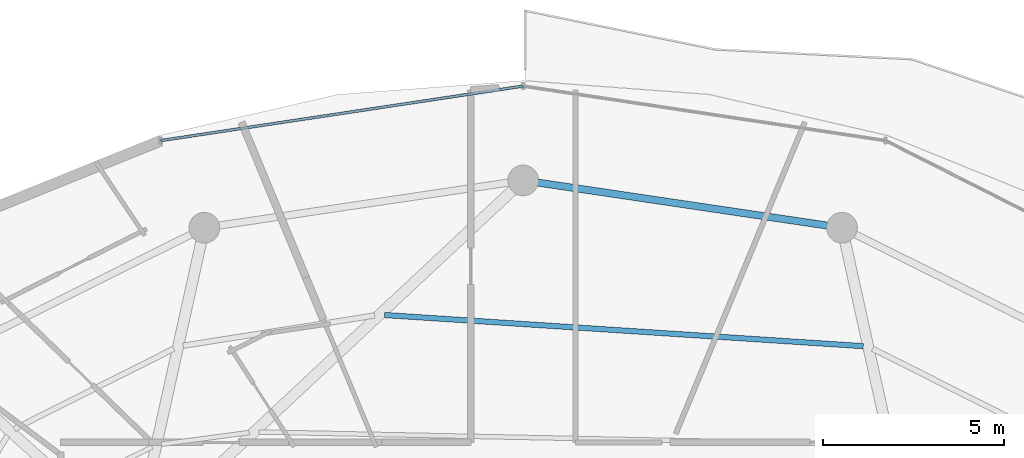
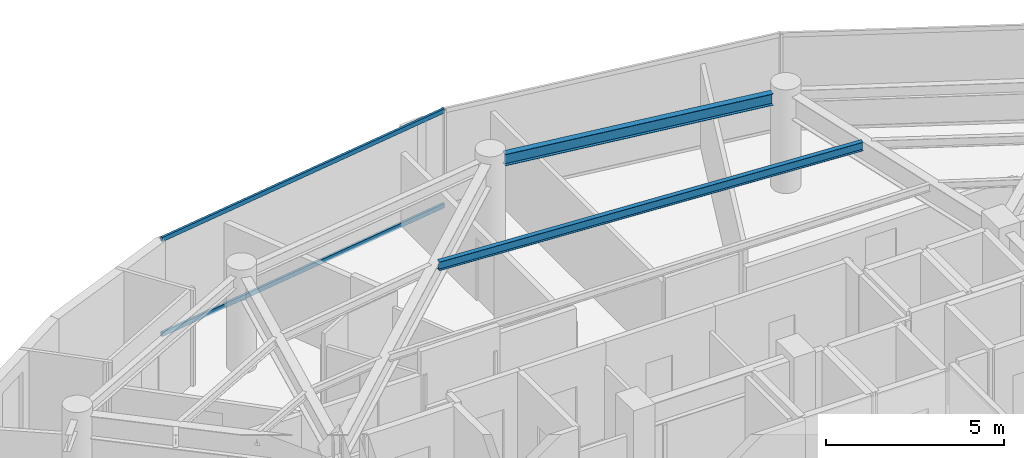
# One storey, part 18 of 30: 2 beams, 2 members, 1 element without a shape of its own.
"""IFC4 building model written with IfcOpenShell, lengths in metres."""

from ifc_helpers import new_model, si_unit, direction, frame, origin, origin_2d, place, context, subcontext, project, spatial, hollow_rectangle, i_section, extrude, material, material_profile, profile_set, type_object, element, aggregate, save


model = new_model("IFC4")

# Units and contexts
model_context = context("Model", 3, precision=1e-05, world=origin(), true_north=direction((0.0, 1.0)))
body_context = subcontext(model_context, "Body", "Model", "MODEL_VIEW")
ifc_project = project(units=[si_unit("LENGTHUNIT", "METRE"), si_unit("AREAUNIT", "SQUARE_METRE"), si_unit("VOLUMEUNIT", "CUBIC_METRE"), si_unit("PLANEANGLEUNIT", "RADIAN"), si_unit("MASSUNIT", "GRAM", prefix="KILO")], contexts=[model_context])

# Site, building, storey
site_placement = place(None, origin())
site = spatial("IfcSite", under=ifc_project, at=site_placement, CompositionType="ELEMENT")
building_placement = place(site_placement, origin())
building = spatial("IfcBuilding", under=site, at=building_placement, Name="Vorneva Point Tower", CompositionType="ELEMENT")
storey_placement = place(building_placement, frame((0.0, 0.0, 252.0)))
storey = spatial("IfcBuildingStorey", under=building, at=storey_placement, Name="L68", CompositionType="ELEMENT", Elevation=252.0)

# Beams
ifc_material_1 = material(Name="Steel S355", Category="steel")
ifc_material_profile_1 = material_profile(ifc_material_1, i_section(OverallWidth=0.14892578125, OverallDepth=0.298095703125, WebThickness=0.005615234375, FlangeThickness=0.008056640625, at=origin_2d()), Name="30B1")
ifc_profile_set_1 = profile_set([ifc_material_profile_1], Name="Steel S355")
beam_type_1 = type_object("IfcBeamType", Name="BM-JST-30B1", PredefinedType="JOIST", material=ifc_profile_set_1)
beam_1_placement = place(storey_placement, frame((47.408203125, 38.614501953125, 3.14111328125), z_axis=(-0.997889548282, 0.064934193066, 0.0), x_axis=(-0.064934193066, -0.997889548282, 0.0)))
element("IfcBeam", 1, at=beam_1_placement, inside=storey, type_object=beam_type_1, Name="L68 Secondary Floor Beam 1.04", PredefinedType="JOIST", context=body_context, shape_type="SweptSolid", body=[
    extrude(i_section(OverallWidth=0.14892578125, OverallDepth=0.298095703125, WebThickness=0.005615234375, FlangeThickness=0.008056640625, at=origin_2d()), origin(), (0.0, 0.0, 1.0), 13.272216796875),
])
ifc_material_profile_2 = material_profile(ifc_material_1, i_section(OverallWidth=0.198974609375, OverallDepth=0.39599609375, WebThickness=0.007080078125, FlangeThickness=0.010986328125, at=origin_2d()), Name="40B1")
ifc_profile_set_2 = profile_set([ifc_material_profile_2], Name="Steel S355")
beam_type_2 = type_object("IfcBeamType", Name="BM-SPN-40B1", PredefinedType="SPANDREL", material=ifc_profile_set_2)
beam_2_placement = place(storey_placement, frame((46.415283203125, 41.950927734375, 3.092041015625), z_axis=(-0.989161657331, 0.146830567886, 0.0), x_axis=(-0.146830567886, -0.989161657331, 0.0)))
element("IfcBeam", 2, at=beam_2_placement, inside=storey, type_object=beam_type_2, Name="L68 Perimeter Spandrel Ring Beam 04", PredefinedType="SPANDREL", context=body_context, shape_type="SweptSolid", body=[
    extrude(i_section(OverallWidth=0.198974609375, OverallDepth=0.39599609375, WebThickness=0.007080078125, FlangeThickness=0.010986328125, at=origin_2d()), origin(), (0.0, 0.0, 1.0), 8.097412109375),
])

# Curtain wall, members
ifc_material_2 = material(Name="Pale anodised aluminium", Category="aluminium")
curtain_wall_type = type_object("IfcCurtainWallType", Name="CW-RES-SYS", PredefinedType="NOTDEFINED", material=ifc_material_2)
curtain_wall_placement = place(storey_placement, origin())
curtain_wall = element("IfcCurtainWall", 3, at=curtain_wall_placement, inside=storey, type_object=curtain_wall_type, Name="L68 Unitised Curtain Wall CW-L68-R02", PredefinedType="NOTDEFINED")
ifc_material_profile_3 = material_profile(ifc_material_2, hollow_rectangle(XDim=0.074951171875, YDim=0.14990234375, WallThickness=0.00390625, at=origin_2d()), Name="AL-TRN 150x75x4")
ifc_profile_set_3 = profile_set([ifc_material_profile_3], Name="Pale anodised aluminium")
member_type = type_object("IfcMemberType", Name="CW-TRN-150", PredefinedType="USERDEFINED", material=ifc_profile_set_3)
member_1_placement = place(storey_placement, frame((38.0, 45.81005859375, 0.02001953125), z_axis=(-0.988876929856, -0.148736066907, 0.0), x_axis=(0.148736066907, -0.988876929856, 0.0)))
member_1 = element("IfcMember", 4, at=member_1_placement, type_object=member_type, Name="CW-L68-R02 Transom 03.1", ObjectType="TRANSOM", PredefinedType="USERDEFINED", context=body_context, shape_type="SweptSolid", body=[
    extrude(hollow_rectangle(XDim=0.074951171875, YDim=0.14990234375, WallThickness=0.00390625, at=origin_2d()), origin(), (0.0, 0.0, 1.0), 10.13916015625),
])
member_2_placement = place(storey_placement, frame((38.0, 45.81005859375, 3.27001953125), z_axis=(-0.988876929856, -0.148736066907, 0.0), x_axis=(0.148736066907, -0.988876929856, 0.0)))
member_2 = element("IfcMember", 5, at=member_2_placement, type_object=member_type, Name="CW-L68-R02 Transom 03.2", ObjectType="TRANSOM", PredefinedType="USERDEFINED", context=body_context, shape_type="SweptSolid", body=[
    extrude(hollow_rectangle(XDim=0.074951171875, YDim=0.14990234375, WallThickness=0.00390625, at=origin_2d()), origin(), (0.0, 0.0, 1.0), 10.13916015625),
])
aggregate(curtain_wall, [member_1, member_2])

save(model, "model.ifc")
